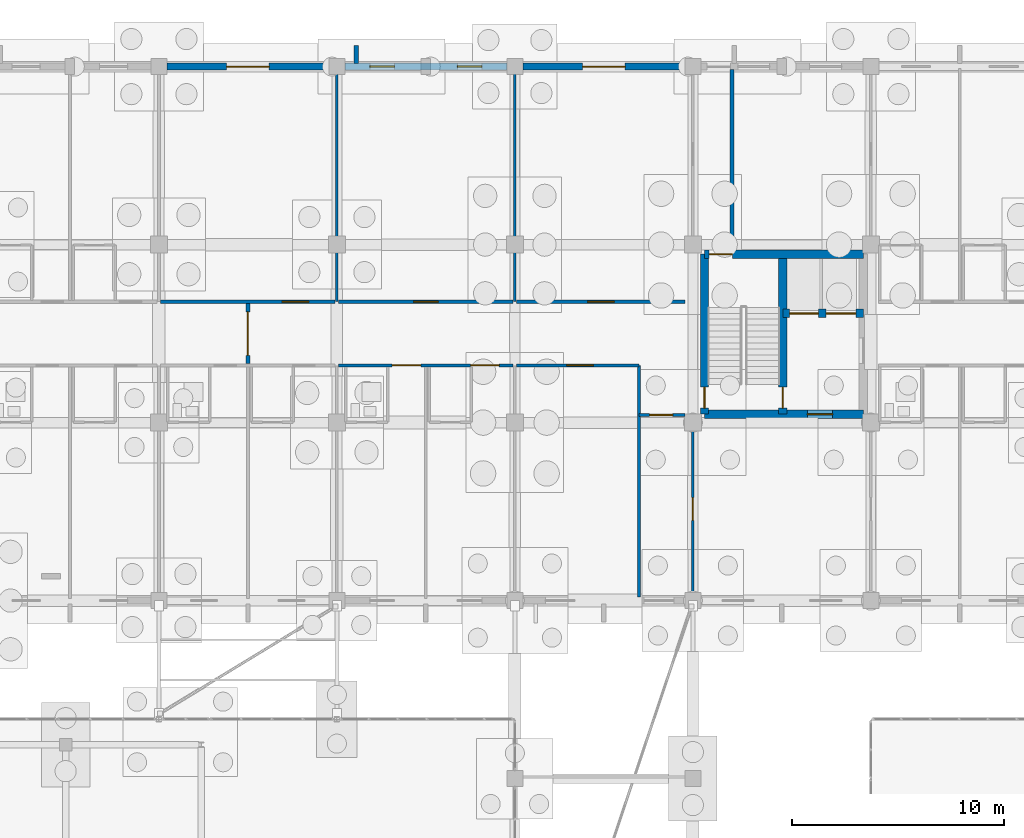
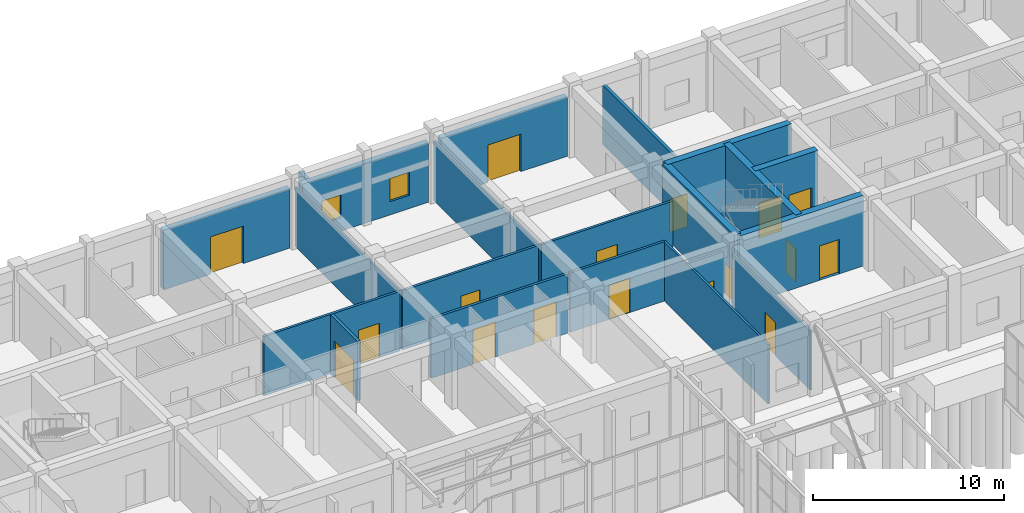
# One storey, part 166 of 192: 21 walls, 17 doors, 2 windows, 19 openings.
"""IFC4 building model written with IfcOpenShell, lengths in metres."""

from ifc_helpers import new_model, si_unit, direction, frame, frame_2d, origin, place, context, subcontext, project, spatial, rectangle, extrude, material, layer, layer_set, type_object, element, fill, save


model = new_model("IFC4")

# Units and contexts
model_context = context("Model", 3, precision=1e-05, world=origin(), true_north=direction((0.0, 1.0)))
body_context = subcontext(model_context, "Body", "Model", "MODEL_VIEW")
ifc_project = project(units=[si_unit("LENGTHUNIT", "METRE"), si_unit("AREAUNIT", "SQUARE_METRE"), si_unit("VOLUMEUNIT", "CUBIC_METRE"), si_unit("PLANEANGLEUNIT", "RADIAN"), si_unit("MASSUNIT", "GRAM", prefix="KILO")], contexts=[model_context])

# Site, building, storey
site_placement = place(None, origin())
site = spatial("IfcSite", under=ifc_project, at=site_placement, CompositionType="ELEMENT")
building_placement = place(site_placement, origin())
building = spatial("IfcBuilding", under=site, at=building_placement, Name="Trelvath General Hospital", CompositionType="ELEMENT")
storey_placement = place(building_placement, origin())
storey = spatial("IfcBuildingStorey", under=building, at=storey_placement, Name="L00", CompositionType="ELEMENT", Elevation=0.0)

# Wall
ifc_material_1 = material(Name="Precast concrete C40/50", Category="concrete")
ifc_layer_1 = layer(ifc_material_1, 0.199951171875)
ifc_layer_set_1 = layer_set([ifc_layer_1], Name="Precast concrete C40/50")
wall_type_1 = type_object("IfcWallType", Name="BriseSoleilRib 200", PredefinedType="ELEMENTEDWALL", material=ifc_layer_set_1)
wall_1_placement = place(storey_placement, frame((68.110595703125, 117.75, 0.0), z_axis=(0.0, 0.0, 1.0), x_axis=(0.0, 1.0, 0.0)))
element("IfcWall", 1, at=wall_1_placement, inside=storey, type_object=wall_type_1, Name="Precast Concrete Brise-Soleil Rib Fin L00-33", PredefinedType="ELEMENTEDWALL", context=body_context, shape_type="SweptSolid", body=[
    extrude(rectangle(XDim=0.85009765625, YDim=0.199951171875, at=frame_2d((0.425048828125, 0.0))), origin(), (0.0, 0.0, 1.0), 3.800048828125),
])

# Wall, opening, door
ifc_material_2 = material(Name="Gypsum acoustic steel-stud partition", Category="steel")
ifc_layer_2 = layer(ifc_material_2, 0.14990234375)
ifc_layer_set_2 = layer_set([ifc_layer_2], Name="Gypsum acoustic steel-stud partition")
wall_type_2 = type_object("IfcWallType", Name="ClinicalPartition 150", PredefinedType="PARTITIONING", material=ifc_layer_set_2)
wall_2_placement = place(storey_placement, frame((67.1201171875, 106.5, 0.0), z_axis=(0.0, 0.0, 1.0), x_axis=(-1.0, 0.0, 0.0)))
wall_2 = element("IfcWall", 2, at=wall_2_placement, inside=storey, type_object=wall_type_2, Name="Corridor Partition N L00-226", PredefinedType="PARTITIONING", context=body_context, shape_type="SweptSolid", body=[
    extrude(rectangle(XDim=8.240234375, YDim=0.14990234375, at=frame_2d((4.1201171875, 0.0))), origin(), (0.0, 0.0, 1.0), 3.800048828125),
])
opening_1_placement = place(wall_2_placement, frame((1.25, 0.0, 0.0)))
opening_1 = element("IfcOpeningElement", 3, at=opening_1_placement, cuts=wall_2, Name="Opening D-0-0392", PredefinedType="OPENING", context=body_context, shape_type="SweptSolid", body=[
    extrude(rectangle(XDim=1.25, YDim=2.199951171875, at=frame_2d((0.625, 1.10009765625))), frame((0.0, 0.0849609375, 0.0), z_axis=(0.0, -1.0, 0.0), x_axis=(1.0, 0.0, 0.0)), (0.0, 0.0, 1.0), 0.169921875),
])
ifc_material_3 = material(Name="Acoustic hospital timber leaf", Category="wood")
door_type_1 = type_object("IfcDoorType", Name="Door Treatment 1250x2200", OperationType="NOTDEFINED", PredefinedType="DOOR", material=ifc_material_3)
door_1_placement = place(opening_1_placement, origin())
door_1 = element("IfcDoor", 4, at=door_1_placement, inside=storey, type_object=door_type_1, Name="Clinical Room Door L00-392", OperationType="SINGLE_SWING_RIGHT", OverallHeight=2.199951171875, OverallWidth=1.25, PredefinedType="DOOR", context=body_context, shape_type="SweptSolid", body=[
    extrude(rectangle(XDim=1.25, YDim=2.199951171875, at=frame_2d((0.625, 1.10009765625))), frame((0.0, 0.02490234375, 0.0), z_axis=(0.0, -1.0, 0.0), x_axis=(1.0, 0.0, 0.0)), (0.0, 0.0, 1.0), 0.050048828125),
])
fill(opening_1, door_1)

# Wall, openings, doors
wall_3_placement = place(storey_placement, frame((67.280029296875, 103.5, 0.0), z_axis=(0.0, 0.0, 1.0), x_axis=(1.0, 0.0, 0.0)))
wall_3 = element("IfcWall", 5, at=wall_3_placement, inside=storey, type_object=wall_type_2, Name="Corridor Partition L00-230", PredefinedType="PARTITIONING", context=body_context, shape_type="SweptSolid", body=[
    extrude(rectangle(XDim=8.239990234375, YDim=0.14990234375, at=frame_2d((4.1201171875, 0.0))), origin(), (0.0, 0.0, 1.0), 3.800048828125),
])
opening_2_placement = place(wall_3_placement, frame((2.530029296875, 0.0, 0.0)))
opening_2 = element("IfcOpeningElement", 6, at=opening_2_placement, cuts=wall_3, Name="Opening D-0-0394", PredefinedType="OPENING", context=body_context, shape_type="SweptSolid", body=[
    extrude(rectangle(XDim=1.35009765625, YDim=2.25, at=frame_2d((0.675048828125, 1.125))), frame((0.0, 0.0849609375, 0.0), z_axis=(0.0, -1.0, 0.0), x_axis=(1.0, 0.0, 0.0)), (0.0, 0.0, 1.0), 0.169921875),
])
opening_3_placement = place(wall_3_placement, frame((6.22998046875, 0.0, 0.0)))
opening_3 = element("IfcOpeningElement", 7, at=opening_3_placement, cuts=wall_3, Name="Opening D-0-0395", PredefinedType="OPENING", context=body_context, shape_type="SweptSolid", body=[
    extrude(rectangle(XDim=1.35009765625, YDim=2.25, at=frame_2d((0.675048828125, 1.125))), frame((0.0, 0.0849609375, 0.0), z_axis=(0.0, -1.0, 0.0), x_axis=(1.0, 0.0, 0.0)), (0.0, 0.0, 1.0), 0.169921875),
])
ifc_material_4 = material(Name="Airtight isolation bed door")
door_type_2 = type_object("IfcDoorType", Name="Door PatientIso 1350x2250", OperationType="NOTDEFINED", PredefinedType="DOOR", material=ifc_material_4)
door_2_placement = place(opening_2_placement, origin())
door_2 = element("IfcDoor", 8, at=door_2_placement, inside=storey, type_object=door_type_2, Name="Patient Room Door L00-394", OperationType="SINGLE_SWING_LEFT", OverallHeight=2.25, OverallWidth=1.35009765625, PredefinedType="DOOR", context=body_context, shape_type="SweptSolid", body=[
    extrude(rectangle(XDim=1.35009765625, YDim=2.25, at=frame_2d((0.675048828125, 1.125))), frame((0.0, 0.02490234375, 0.0), z_axis=(0.0, -1.0, 0.0), x_axis=(1.0, 0.0, 0.0)), (0.0, 0.0, 1.0), 0.050048828125),
])
fill(opening_2, door_2)
door_3_placement = place(opening_3_placement, origin())
door_3 = element("IfcDoor", 9, at=door_3_placement, inside=storey, type_object=door_type_2, Name="Patient Room Door L00-395", OperationType="SINGLE_SWING_RIGHT", OverallHeight=2.25, OverallWidth=1.35009765625, PredefinedType="DOOR", context=body_context, shape_type="SweptSolid", body=[
    extrude(rectangle(XDim=1.35009765625, YDim=2.25, at=frame_2d((0.675048828125, 1.125))), frame((0.0, 0.02490234375, 0.0), z_axis=(0.0, -1.0, 0.0), x_axis=(1.0, 0.0, 0.0)), (0.0, 0.0, 1.0), 0.050048828125),
])
fill(opening_3, door_3)

# Wall, opening, door
wall_4_placement = place(storey_placement, frame((75.52001953125, 106.5, 0.0), z_axis=(0.0, 0.0, 1.0), x_axis=(-1.0, 0.0, 0.0)))
wall_4 = element("IfcWall", 10, at=wall_4_placement, inside=storey, type_object=wall_type_2, Name="Corridor Partition N L00-238", PredefinedType="PARTITIONING", context=body_context, shape_type="SweptSolid", body=[
    extrude(rectangle(XDim=8.239990234375, YDim=0.14990234375, at=frame_2d((4.1201171875, 0.0))), origin(), (0.0, 0.0, 1.0), 3.800048828125),
])
opening_4_placement = place(wall_4_placement, frame((3.544921875, 0.0, 0.0)))
opening_4 = element("IfcOpeningElement", 11, at=opening_4_placement, cuts=wall_4, Name="Opening D-0-0398", PredefinedType="OPENING", context=body_context, shape_type="SweptSolid", body=[
    extrude(rectangle(XDim=1.14990234375, YDim=2.199951171875, at=frame_2d((0.574951171875, 1.10009765625))), frame((0.0, 0.0849609375, 0.0), z_axis=(0.0, -1.0, 0.0), x_axis=(1.0, 0.0, 0.0)), (0.0, 0.0, 1.0), 0.169921875),
])
ifc_material_5 = material(Name="Phenolic cleanroom door")
door_type_3 = type_object("IfcDoorType", Name="Door Pharmacy 1150x2200", OperationType="NOTDEFINED", PredefinedType="DOOR", material=ifc_material_5)
door_4_placement = place(opening_4_placement, origin())
door_4 = element("IfcDoor", 12, at=door_4_placement, inside=storey, type_object=door_type_3, Name="Clinical Room Door L00-398", OperationType="SINGLE_SWING_LEFT", OverallHeight=2.199951171875, OverallWidth=1.14990234375, PredefinedType="DOOR", context=body_context, shape_type="SweptSolid", body=[
    extrude(rectangle(XDim=1.14990234375, YDim=2.199951171875, at=frame_2d((0.574951171875, 1.10009765625))), frame((0.0, 0.02490234375, 0.0), z_axis=(0.0, -1.0, 0.0), x_axis=(1.0, 0.0, 0.0)), (0.0, 0.0, 1.0), 0.050048828125),
])
fill(opening_4, door_4)

wall_5_placement = place(storey_placement, frame((75.679931640625, 103.5, 0.0), z_axis=(0.0, 0.0, 1.0), x_axis=(1.0, 0.0, 0.0)))
wall_5 = element("IfcWall", 13, at=wall_5_placement, inside=storey, type_object=wall_type_2, Name="Nurse Station Partition L00-241", PredefinedType="PARTITIONING", context=body_context, shape_type="SweptSolid", body=[
    extrude(rectangle(XDim=5.780029296875, YDim=0.14990234375, at=frame_2d((2.89013671875, 0.0))), origin(), (0.0, 0.0, 1.0), 3.800048828125),
])
opening_5_placement = place(wall_5_placement, frame((2.3798828125, 0.0, 0.0)))
opening_5 = element("IfcOpeningElement", 14, at=opening_5_placement, cuts=wall_5, Name="Opening D-0-0399", PredefinedType="OPENING", context=body_context, shape_type="SweptSolid", body=[
    extrude(rectangle(XDim=1.25, YDim=2.199951171875, at=frame_2d((0.625, 1.10009765625))), frame((0.0, 0.0849609375, 0.0), z_axis=(0.0, -1.0, 0.0), x_axis=(1.0, 0.0, 0.0)), (0.0, 0.0, 1.0), 0.169921875),
])
door_5_placement = place(opening_5_placement, origin())
door_5 = element("IfcDoor", 15, at=door_5_placement, inside=storey, type_object=door_type_1, Name="Nurse Station Door L00-399", OperationType="SINGLE_SWING_RIGHT", OverallHeight=2.199951171875, OverallWidth=1.25, PredefinedType="DOOR", context=body_context, shape_type="SweptSolid", body=[
    extrude(rectangle(XDim=1.25, YDim=2.199951171875, at=frame_2d((0.625, 1.10009765625))), frame((0.0, 0.02490234375, 0.0), z_axis=(0.0, -1.0, 0.0), x_axis=(1.0, 0.0, 0.0)), (0.0, 0.0, 1.0), 0.050048828125),
])
fill(opening_5, door_5)

wall_6_placement = place(storey_placement, frame((81.4599609375, 101.159912109375, 0.0), z_axis=(0.0, 0.0, 1.0), x_axis=(1.0, 0.0, 0.0)))
wall_6 = element("IfcWall", 16, at=wall_6_placement, inside=storey, type_object=wall_type_2, Name="Clean Utility Partition L00-243", PredefinedType="PARTITIONING", context=body_context, shape_type="SweptSolid", body=[
    extrude(rectangle(XDim=2.179931640625, YDim=0.14990234375, at=frame_2d((1.08984375, 0.0))), origin(), (0.0, 0.0, 1.0), 3.800048828125),
])
opening_6_placement = place(wall_6_placement, frame((0.5, 0.0, 0.0)))
opening_6 = element("IfcOpeningElement", 17, at=opening_6_placement, cuts=wall_6, Name="Opening D-0-0400", PredefinedType="OPENING", context=body_context, shape_type="SweptSolid", body=[
    extrude(rectangle(XDim=1.080078125, YDim=2.14990234375, at=frame_2d((0.5400390625, 1.074951171875))), frame((0.0, 0.0849609375, 0.0), z_axis=(0.0, -1.0, 0.0), x_axis=(1.0, 0.0, 0.0)), (0.0, 0.0, 1.0), 0.169921875),
])
ifc_material_6 = material(Name="Acoustic hospital timber leaf", Category="wood")
door_type_4 = type_object("IfcDoorType", Name="Door CleanSupply 1080x2150", OperationType="NOTDEFINED", PredefinedType="DOOR", material=ifc_material_6)
door_6_placement = place(opening_6_placement, origin())
door_6 = element("IfcDoor", 18, at=door_6_placement, inside=storey, type_object=door_type_4, Name="Clean Utility Door L00-400", OperationType="SINGLE_SWING_LEFT", OverallHeight=2.14990234375, OverallWidth=1.080078125, PredefinedType="DOOR", context=body_context, shape_type="SweptSolid", body=[
    extrude(rectangle(XDim=1.080078125, YDim=2.14990234375, at=frame_2d((0.5400390625, 1.074951171875))), frame((0.0, 0.02490234375, 0.0), z_axis=(0.0, -1.0, 0.0), x_axis=(1.0, 0.0, 0.0)), (0.0, 0.0, 1.0), 0.050048828125),
])
fill(opening_6, door_6)

wall_7_placement = place(storey_placement, frame((83.639892578125, 106.5, 0.0), z_axis=(0.0, 0.0, 1.0), x_axis=(-1.0, 0.0, 0.0)))
wall_7 = element("IfcWall", 19, at=wall_7_placement, inside=storey, type_object=wall_type_2, Name="Corridor Partition N L00-244", PredefinedType="PARTITIONING", context=body_context, shape_type="SweptSolid", body=[
    extrude(rectangle(XDim=7.9599609375, YDim=0.14990234375, at=frame_2d((3.97998046875, 0.0))), origin(), (0.0, 0.0, 1.0), 3.800048828125),
])
opening_7_placement = place(wall_7_placement, frame((3.35498046875, 0.0, 0.0)))
opening_7 = element("IfcOpeningElement", 20, at=opening_7_placement, cuts=wall_7, Name="Opening D-0-0401", PredefinedType="OPENING", context=body_context, shape_type="SweptSolid", body=[
    extrude(rectangle(XDim=1.25, YDim=2.199951171875, at=frame_2d((0.625, 1.10009765625))), frame((0.0, 0.0849609375, 0.0), z_axis=(0.0, -1.0, 0.0), x_axis=(1.0, 0.0, 0.0)), (0.0, 0.0, 1.0), 0.169921875),
])
door_7_placement = place(opening_7_placement, origin())
door_7 = element("IfcDoor", 21, at=door_7_placement, inside=storey, type_object=door_type_1, Name="Clinical Room Door L00-401", OperationType="SINGLE_SWING_RIGHT", OverallHeight=2.199951171875, OverallWidth=1.25, PredefinedType="DOOR", context=body_context, shape_type="SweptSolid", body=[
    extrude(rectangle(XDim=1.25, YDim=2.199951171875, at=frame_2d((0.625, 1.10009765625))), frame((0.0, 0.02490234375, 0.0), z_axis=(0.0, -1.0, 0.0), x_axis=(1.0, 0.0, 0.0)), (0.0, 0.0, 1.0), 0.050048828125),
])
fill(opening_7, door_7)

ifc_material_7 = material(Name="Concrete C40/50", Category="concrete")
ifc_layer_3 = layer(ifc_material_7, 0.39990234375)
ifc_layer_set_3 = layer_set([ifc_layer_3], Name="Concrete C40/50")
wall_type_3 = type_object("IfcWallType", Name="CoreShearWall 400", PredefinedType="SHEAR", material=ifc_layer_set_3)
wall_8_placement = place(storey_placement, frame((84.550048828125, 101.199951171875, 0.0), z_axis=(0.0, 0.0, 1.0), x_axis=(1.0, 0.0, 0.0)))
wall_8 = element("IfcWall", 22, at=wall_8_placement, inside=storey, type_object=wall_type_3, Name="Core Shear Wall C2 S L00", PredefinedType="SHEAR", context=body_context, shape_type="SweptSolid", body=[
    extrude(rectangle(XDim=7.5, YDim=0.39990234375, at=frame_2d((3.75, 0.0))), origin(), (0.0, 0.0, 1.0), 4.52001953125),
])
opening_8_placement = place(wall_8_placement, frame((4.85009765625, 0.0, 0.0)))
opening_8 = element("IfcOpeningElement", 23, at=opening_8_placement, cuts=wall_8, Name="Opening FD-LS20", PredefinedType="OPENING", context=body_context, shape_type="SweptSolid", body=[
    extrude(rectangle(XDim=1.199951171875, YDim=2.199951171875, at=frame_2d((0.60009765625, 1.10009765625))), frame((0.0, 0.2099609375, 0.0), z_axis=(0.0, -1.0, 0.0), x_axis=(1.0, 0.0, 0.0)), (0.0, 0.0, 1.0), 0.419921875),
])
ifc_material_8 = material(Name="Fire-rated steel door", Category="steel")
door_type_5 = type_object("IfcDoorType", Name="Door FireLobby 1200x2200", OperationType="NOTDEFINED", PredefinedType="DOOR", material=ifc_material_8)
door_8_placement = place(opening_8_placement, origin())
door_8 = element("IfcDoor", 24, at=door_8_placement, inside=storey, type_object=door_type_5, Name="Fire Lobby South Door C2 L00", OperationType="SINGLE_SWING_RIGHT", OverallHeight=2.199951171875, OverallWidth=1.199951171875, PredefinedType="DOOR", context=body_context, shape_type="SweptSolid", body=[
    extrude(rectangle(XDim=1.199951171875, YDim=2.199951171875, at=frame_2d((0.60009765625, 1.10009765625))), frame((0.0, 0.02490234375, 0.0), z_axis=(0.0, -1.0, 0.0), x_axis=(1.0, 0.0, 0.0)), (0.0, 0.0, 1.0), 0.050048828125),
])
fill(opening_8, door_8)

wall_9_placement = place(storey_placement, frame((84.550048828125, 108.75, 0.0), z_axis=(0.0, 0.0, 1.0), x_axis=(1.0, 0.0, 0.0)))
wall_9 = element("IfcWall", 25, at=wall_9_placement, inside=storey, type_object=wall_type_3, Name="Core Shear Wall C2 N L00", PredefinedType="SHEAR", context=body_context, shape_type="SweptSolid", body=[
    extrude(rectangle(XDim=7.5, YDim=0.39990234375, at=frame_2d((3.75, 0.0))), origin(), (0.0, 0.0, 1.0), 4.52001953125),
])
opening_9_placement = place(wall_9_placement, frame((0.219970703125, 0.0, 0.0)))
opening_9 = element("IfcOpeningElement", 26, at=opening_9_placement, cuts=wall_9, Name="Opening FD-EX2", PredefinedType="OPENING", context=body_context, shape_type="SweptSolid", body=[
    extrude(rectangle(XDim=1.10009765625, YDim=2.10009765625, at=frame_2d((0.550048828125, 1.050048828125))), frame((0.0, 0.2099609375, 0.0), z_axis=(0.0, -1.0, 0.0), x_axis=(1.0, 0.0, 0.0)), (0.0, 0.0, 1.0), 0.419921875),
])
ifc_material_9 = material(Name="Fire-rated steel door", Category="steel")
door_type_6 = type_object("IfcDoorType", Name="Door FireStair 1100x2150", OperationType="NOTDEFINED", PredefinedType="DOOR", material=ifc_material_9)
door_9_placement = place(opening_9_placement, origin())
door_9 = element("IfcDoor", 27, at=door_9_placement, inside=storey, type_object=door_type_6, Name="Exit Stair Discharge Door ST2 L00", OperationType="SINGLE_SWING_LEFT", OverallHeight=2.10009765625, OverallWidth=1.10009765625, PredefinedType="DOOR", context=body_context, shape_type="SweptSolid", body=[
    extrude(rectangle(XDim=1.10009765625, YDim=2.10009765625, at=frame_2d((0.550048828125, 1.050048828125))), frame((0.0, 0.02490234375, 0.0), z_axis=(0.0, -1.0, 0.0), x_axis=(1.0, 0.0, 0.0)), (0.0, 0.0, 1.0), 0.050048828125),
])
fill(opening_9, door_9)

wall_10_placement = place(storey_placement, frame((84.550048828125, 101.199951171875, 0.0), z_axis=(0.0, 0.0, 1.0), x_axis=(0.0, 1.0, 0.0)))
wall_10 = element("IfcWall", 28, at=wall_10_placement, inside=storey, type_object=wall_type_3, Name="Core Shear Wall C2 W L00", PredefinedType="SHEAR", context=body_context, shape_type="SweptSolid", body=[
    extrude(rectangle(XDim=7.550048828125, YDim=0.39990234375, at=frame_2d((3.77490234375, 0.0))), origin(), (0.0, 0.0, 1.0), 4.52001953125),
])
opening_10_placement = place(wall_10_placement, frame((0.280029296875, 0.0, 0.0)))
opening_10 = element("IfcOpeningElement", 29, at=opening_10_placement, cuts=wall_10, Name="Opening FD-SW20", PredefinedType="OPENING", context=body_context, shape_type="SweptSolid", body=[
    extrude(rectangle(XDim=1.0, YDim=2.14990234375, at=frame_2d((0.5, 1.074951171875))), frame((0.0, 0.2099609375, 0.0), z_axis=(0.0, -1.0, 0.0), x_axis=(1.0, 0.0, 0.0)), (0.0, 0.0, 1.0), 0.419921875),
])
door_10_placement = place(opening_10_placement, origin())
door_10 = element("IfcDoor", 30, at=door_10_placement, inside=storey, type_object=door_type_6, Name="West Corridor Stair Door ST2 L00", OperationType="SINGLE_SWING_LEFT", OverallHeight=2.14990234375, OverallWidth=1.0, PredefinedType="DOOR", context=body_context, shape_type="SweptSolid", body=[
    extrude(rectangle(XDim=1.0, YDim=2.14990234375, at=frame_2d((0.5, 1.074951171875))), frame((0.0, 0.02490234375, 0.0), z_axis=(0.0, -1.0, 0.0), x_axis=(1.0, 0.0, 0.0)), (0.0, 0.0, 1.0), 0.050048828125),
])
fill(opening_10, door_10)

wall_11_placement = place(storey_placement, frame((88.25, 101.199951171875, 0.0), z_axis=(0.0, 0.0, 1.0), x_axis=(0.0, 1.0, 0.0)))
wall_11 = element("IfcWall", 31, at=wall_11_placement, inside=storey, type_object=wall_type_3, Name="Core Shear Wall C2 SPINE L00", PredefinedType="SHEAR", context=body_context, shape_type="SweptSolid", body=[
    extrude(rectangle(XDim=7.550048828125, YDim=0.39990234375, at=frame_2d((3.77490234375, 0.0))), origin(), (0.0, 0.0, 1.0), 4.52001953125),
])
opening_11_placement = place(wall_11_placement, frame((0.280029296875, 0.0, 0.0)))
opening_11 = element("IfcOpeningElement", 32, at=opening_11_placement, cuts=wall_11, Name="Opening FD-S20", PredefinedType="OPENING", context=body_context, shape_type="SweptSolid", body=[
    extrude(rectangle(XDim=1.0, YDim=2.14990234375, at=frame_2d((0.5, 1.074951171875))), frame((0.0, 0.2099609375, 0.0), z_axis=(0.0, -1.0, 0.0), x_axis=(1.0, 0.0, 0.0)), (0.0, 0.0, 1.0), 0.419921875),
])
door_11_placement = place(opening_11_placement, origin())
door_11 = element("IfcDoor", 33, at=door_11_placement, inside=storey, type_object=door_type_6, Name="Exit Stair Door ST2 L00", OperationType="SINGLE_SWING_RIGHT", OverallHeight=2.14990234375, OverallWidth=1.0, PredefinedType="DOOR", context=body_context, shape_type="SweptSolid", body=[
    extrude(rectangle(XDim=1.0, YDim=2.14990234375, at=frame_2d((0.5, 1.074951171875))), frame((0.0, 0.02490234375, 0.0), z_axis=(0.0, -1.0, 0.0), x_axis=(1.0, 0.0, 0.0)), (0.0, 0.0, 1.0), 0.050048828125),
])
fill(opening_11, door_11)

# Wall, openings, doors
wall_12_placement = place(storey_placement, frame((88.25, 105.949951171875, 0.0), z_axis=(0.0, 0.0, 1.0), x_axis=(1.0, 0.0, 0.0)))
wall_12 = element("IfcWall", 34, at=wall_12_placement, inside=storey, type_object=wall_type_3, Name="Core Shear Wall C2 SHAFT L00", PredefinedType="SHEAR", context=body_context, shape_type="SweptSolid", body=[
    extrude(rectangle(XDim=3.800048828125, YDim=0.39990234375, at=frame_2d((1.89990234375, 0.0))), origin(), (0.0, 0.0, 1.0), 4.52001953125),
])
opening_12_placement = place(wall_12_placement, frame((0.320068359375, 0.0, 0.0)))
opening_12 = element("IfcOpeningElement", 35, at=opening_12_placement, cuts=wall_12, Name="Opening LD-FF2-0", PredefinedType="OPENING", context=body_context, shape_type="SweptSolid", body=[
    extrude(rectangle(XDim=1.35009765625, YDim=2.25, at=frame_2d((0.675048828125, 1.125))), frame((0.0, 0.2099609375, 0.0), z_axis=(0.0, -1.0, 0.0), x_axis=(1.0, 0.0, 0.0)), (0.0, 0.0, 1.0), 0.419921875),
])
opening_13_placement = place(wall_12_placement, frame((2.0400390625, 0.0, 0.0)))
opening_13 = element("IfcOpeningElement", 36, at=opening_13_placement, cuts=wall_12, Name="Opening LD-BD2-0", PredefinedType="OPENING", context=body_context, shape_type="SweptSolid", body=[
    extrude(rectangle(XDim=1.39990234375, YDim=2.25, at=frame_2d((0.699951171875, 1.125))), frame((0.0, 0.2099609375, 0.0), z_axis=(0.0, -1.0, 0.0), x_axis=(1.0, 0.0, 0.0)), (0.0, 0.0, 1.0), 0.419921875),
])
ifc_material_10 = material(Name="Stainless steel stretcher lift landing door", Category="steel")
door_type_7 = type_object("IfcDoorType", Name="Door LiftBed 1400x2250", OperationType="SLIDING_TO_LEFT", PredefinedType="DOOR", material=ifc_material_10)
door_12_placement = place(opening_13_placement, origin())
door_12 = element("IfcDoor", 37, at=door_12_placement, inside=storey, type_object=door_type_7, Name="Lift Landing Sliding Door LF-BD2 L00", OperationType="SLIDING_TO_LEFT", OverallHeight=2.25, OverallWidth=1.39990234375, PredefinedType="DOOR", context=body_context, shape_type="SweptSolid", body=[
    extrude(rectangle(XDim=1.39990234375, YDim=2.25, at=frame_2d((0.699951171875, 1.125))), frame((0.0, 0.02490234375, 0.0), z_axis=(0.0, -1.0, 0.0), x_axis=(1.0, 0.0, 0.0)), (0.0, 0.0, 1.0), 0.050048828125),
])
fill(opening_13, door_12)
ifc_material_11 = material(Name="Fire-rated stainless lift landing door")
door_type_8 = type_object("IfcDoorType", Name="Door LiftFire 1350x2250", OperationType="SLIDING_TO_LEFT", PredefinedType="DOOR", material=ifc_material_11)
door_13_placement = place(opening_12_placement, origin())
door_13 = element("IfcDoor", 38, at=door_13_placement, inside=storey, type_object=door_type_8, Name="Lift Landing Sliding Door LF-FF2 L00", OperationType="SLIDING_TO_LEFT", OverallHeight=2.25, OverallWidth=1.35009765625, PredefinedType="DOOR", context=body_context, shape_type="SweptSolid", body=[
    extrude(rectangle(XDim=1.35009765625, YDim=2.25, at=frame_2d((0.675048828125, 1.125))), frame((0.0, 0.02490234375, 0.0), z_axis=(0.0, -1.0, 0.0), x_axis=(1.0, 0.0, 0.0)), (0.0, 0.0, 1.0), 0.050048828125),
])
fill(opening_12, door_13)

# Wall, opening, door
ifc_material_12 = material(Name="Concrete C35/45", Category="concrete")
ifc_layer_4 = layer(ifc_material_12, 0.320068359375)
ifc_layer_set_4 = layer_set([ifc_layer_4], Name="Concrete C35/45")
wall_type_4 = type_object("IfcWallType", Name="ExtThermalWall 320", PredefinedType="SOLIDWALL", material=ifc_layer_set_4)
wall_13_placement = place(storey_placement, frame((59.175048828125, 117.60009765625, 0.0), z_axis=(0.0, 0.0, 1.0), x_axis=(1.0, 0.0, 0.0)))
wall_13 = element("IfcWall", 39, at=wall_13_placement, inside=storey, type_object=wall_type_4, Name="Exterior Concrete Wall L00-44", PredefinedType="SOLIDWALL", context=body_context, shape_type="SweptSolid", body=[
    extrude(rectangle(XDim=7.64990234375, YDim=0.320068359375, at=frame_2d((3.824951171875, 0.0))), origin(), (0.0, 0.0, 1.0), 3.820068359375),
])
opening_14_placement = place(wall_13_placement, frame((2.824951171875, 0.0, 0.0)))
opening_14 = element("IfcOpeningElement", 40, at=opening_14_placement, cuts=wall_13, Name="Opening E04", PredefinedType="OPENING", context=body_context, shape_type="SweptSolid", body=[
    extrude(rectangle(XDim=2.0, YDim=2.39990234375, at=frame_2d((1.0, 1.199951171875))), frame((0.0, 0.169921875, 0.0), z_axis=(0.0, -1.0, 0.0), x_axis=(1.0, 0.0, 0.0)), (0.0, 0.0, 1.0), 0.340087890625),
])
ifc_material_13 = material(Name="Thermally broken glazed exit pair")
door_type_9 = type_object("IfcDoorType", Name="Door GradeExit 2000x2400", OperationType="DOUBLE_SWING_LEFT", PredefinedType="DOOR", material=ifc_material_13)
door_14_placement = place(opening_14_placement, origin())
door_14 = element("IfcDoor", 41, at=door_14_placement, inside=storey, type_object=door_type_9, Name="Pedestrian Final Exit Door E04", OperationType="DOUBLE_SWING_LEFT", OverallHeight=2.39990234375, OverallWidth=2.0, PredefinedType="DOOR", context=body_context, shape_type="SweptSolid", body=[
    extrude(rectangle(XDim=2.0, YDim=2.39990234375, at=frame_2d((1.0, 1.199951171875))), frame((0.0, 0.02490234375, 0.0), z_axis=(0.0, -1.0, 0.0), x_axis=(1.0, 0.0, 0.0)), (0.0, 0.0, 1.0), 0.050048828125),
])
fill(opening_14, door_14)

# Wall, openings, windows
wall_14_placement = place(storey_placement, frame((67.574951171875, 117.60009765625, 0.0), z_axis=(0.0, 0.0, 1.0), x_axis=(1.0, 0.0, 0.0)))
wall_14 = element("IfcWall", 42, at=wall_14_placement, inside=storey, type_object=wall_type_4, Name="Exterior Concrete Wall L00-48", PredefinedType="SOLIDWALL", context=body_context, shape_type="SweptSolid", body=[
    extrude(rectangle(XDim=7.650146484375, YDim=0.320068359375, at=frame_2d((3.8251953125, 0.0))), origin(), (0.0, 0.0, 1.0), 3.820068359375),
])
opening_15_placement = place(wall_14_placement, frame((1.179443359375, 0.0, 0.85009765625)))
opening_15 = element("IfcOpeningElement", 43, at=opening_15_placement, cuts=wall_14, Name="Opening WN-0-073", PredefinedType="OPENING", context=body_context, shape_type="SweptSolid", body=[
    extrude(rectangle(XDim=1.159912109375, YDim=1.47998046875, at=frame_2d((0.580078125, 0.739990234375))), frame((0.0, 0.169921875, 0.0), z_axis=(0.0, -1.0, 0.0), x_axis=(1.0, 0.0, 0.0)), (0.0, 0.0, 1.0), 0.340087890625),
])
opening_16_placement = place(wall_14_placement, frame((5.310546875, 0.0, 0.85009765625)))
opening_16 = element("IfcOpeningElement", 44, at=opening_16_placement, cuts=wall_14, Name="Opening WN-0-074", PredefinedType="OPENING", context=body_context, shape_type="SweptSolid", body=[
    extrude(rectangle(XDim=1.159912109375, YDim=1.47998046875, at=frame_2d((0.580078125, 0.739990234375))), frame((0.0, 0.169921875, 0.0), z_axis=(0.0, -1.0, 0.0), x_axis=(1.0, 0.0, 0.0)), (0.0, 0.0, 1.0), 0.340087890625),
])
ifc_material_14 = material(Name="Low-E laminated glass", Category="glass")
window_type = type_object("IfcWindowType", Name="Window Cardiology 1160x1480", PartitioningType="SINGLE_PANEL", PredefinedType="WINDOW", material=ifc_material_14)
window_1_placement = place(opening_15_placement, origin())
window_1 = element("IfcWindow", 45, at=window_1_placement, inside=storey, type_object=window_type, Name="Solar Reveal Window L00-73", OverallHeight=1.47998046875, OverallWidth=1.159912109375, PartitioningType="SINGLE_PANEL", PredefinedType="WINDOW", context=body_context, shape_type="SweptSolid", body=[
    extrude(rectangle(XDim=1.159912109375, YDim=1.47998046875, at=frame_2d((0.580078125, 0.739990234375))), frame((0.0, 0.030029296875, 0.0), z_axis=(0.0, -1.0, 0.0), x_axis=(1.0, 0.0, 0.0)), (0.0, 0.0, 1.0), 0.06005859375),
])
fill(opening_15, window_1)
window_2_placement = place(opening_16_placement, origin())
window_2 = element("IfcWindow", 46, at=window_2_placement, inside=storey, type_object=window_type, Name="Solar Reveal Window L00-74", OverallHeight=1.47998046875, OverallWidth=1.159912109375, PartitioningType="SINGLE_PANEL", PredefinedType="WINDOW", context=body_context, shape_type="SweptSolid", body=[
    extrude(rectangle(XDim=1.159912109375, YDim=1.47998046875, at=frame_2d((0.580078125, 0.739990234375))), frame((0.0, 0.030029296875, 0.0), z_axis=(0.0, -1.0, 0.0), x_axis=(1.0, 0.0, 0.0)), (0.0, 0.0, 1.0), 0.06005859375),
])
fill(opening_16, window_2)

# Wall, opening, door
wall_15_placement = place(storey_placement, frame((75.97509765625, 117.60009765625, 0.0), z_axis=(0.0, 0.0, 1.0), x_axis=(1.0, 0.0, 0.0)))
wall_15 = element("IfcWall", 47, at=wall_15_placement, inside=storey, type_object=wall_type_4, Name="Exterior Concrete Wall L00-55", PredefinedType="SOLIDWALL", context=body_context, shape_type="SweptSolid", body=[
    extrude(rectangle(XDim=7.64990234375, YDim=0.320068359375, at=frame_2d((3.824951171875, 0.0))), origin(), (0.0, 0.0, 1.0), 3.820068359375),
])
opening_17_placement = place(wall_15_placement, frame((2.824951171875, 0.0, 0.0)))
opening_17 = element("IfcOpeningElement", 48, at=opening_17_placement, cuts=wall_15, Name="Opening E06", PredefinedType="OPENING", context=body_context, shape_type="SweptSolid", body=[
    extrude(rectangle(XDim=2.0, YDim=2.39990234375, at=frame_2d((1.0, 1.199951171875))), frame((0.0, 0.169921875, 0.0), z_axis=(0.0, -1.0, 0.0), x_axis=(1.0, 0.0, 0.0)), (0.0, 0.0, 1.0), 0.340087890625),
])
door_15_placement = place(opening_17_placement, origin())
door_15 = element("IfcDoor", 49, at=door_15_placement, inside=storey, type_object=door_type_9, Name="Pedestrian Final Exit Door E06", OperationType="DOUBLE_SWING_LEFT", OverallHeight=2.39990234375, OverallWidth=2.0, PredefinedType="DOOR", context=body_context, shape_type="SweptSolid", body=[
    extrude(rectangle(XDim=2.0, YDim=2.39990234375, at=frame_2d((1.0, 1.199951171875))), frame((0.0, 0.02490234375, 0.0), z_axis=(0.0, -1.0, 0.0), x_axis=(1.0, 0.0, 0.0)), (0.0, 0.0, 1.0), 0.050048828125),
])
fill(opening_17, door_15)

ifc_material_15 = material(Name="Masonry fire blockwork", Category="masonry")
ifc_layer_5 = layer(ifc_material_15, 0.179931640625)
ifc_layer_set_5 = layer_set([ifc_layer_5], Name="Masonry fire blockwork")
wall_type_5 = type_object("IfcWallType", Name="SmokeBarrierWall 180", PredefinedType="PARTITIONING", material=ifc_layer_set_5)
wall_16_placement = place(storey_placement, frame((63.0, 103.580078125, 0.0), z_axis=(0.0, 0.0, 1.0), x_axis=(0.0, 1.0, 0.0)))
wall_16 = element("IfcWall", 50, at=wall_16_placement, inside=storey, type_object=wall_type_5, Name="Smoke Compartment Barrier L00-227", PredefinedType="PARTITIONING", context=body_context, shape_type="SweptSolid", body=[
    extrude(rectangle(XDim=2.83984375, YDim=0.179931640625, at=frame_2d((1.419921875, 0.0))), origin(), (0.0, 0.0, 1.0), 3.800048828125),
])
opening_18_placement = place(wall_16_placement, frame((0.39501953125, 0.0, 0.0)))
opening_18 = element("IfcOpeningElement", 51, at=opening_18_placement, cuts=wall_16, Name="Opening SD-0-0393", PredefinedType="OPENING", context=body_context, shape_type="SweptSolid", body=[
    extrude(rectangle(XDim=2.050048828125, YDim=2.35009765625, at=frame_2d((1.02490234375, 1.175048828125))), frame((0.0, 0.099853515625, 0.0), z_axis=(0.0, -1.0, 0.0), x_axis=(1.0, 0.0, 0.0)), (0.0, 0.0, 1.0), 0.199951171875),
])
ifc_material_16 = material(Name="Fire-rated steel cross-corridor pair", Category="steel")
door_type_10 = type_object("IfcDoorType", Name="Door SmokeCross 2050x2350", OperationType="DOUBLE_SWING_LEFT", PredefinedType="DOOR", material=ifc_material_16)
door_16_placement = place(opening_18_placement, origin())
door_16 = element("IfcDoor", 52, at=door_16_placement, inside=storey, type_object=door_type_10, Name="Cross-Corridor Smoke Door L00-393", OperationType="SLIDING_TO_LEFT", OverallHeight=2.35009765625, OverallWidth=2.050048828125, PredefinedType="DOOR", context=body_context, shape_type="SweptSolid", body=[
    extrude(rectangle(XDim=2.050048828125, YDim=2.35009765625, at=frame_2d((1.02490234375, 1.175048828125))), frame((0.0, 0.02490234375, 0.0), z_axis=(0.0, -1.0, 0.0), x_axis=(1.0, 0.0, 0.0)), (0.0, 0.0, 1.0), 0.050048828125),
])
fill(opening_18, door_16)

# Walls
wall_17_placement = place(storey_placement, frame((85.85009765625, 108.9599609375, 0.0), z_axis=(0.0, 0.0, 1.0), x_axis=(0.0, 1.0, 0.0)))
element("IfcWall", 53, at=wall_17_placement, inside=storey, type_object=wall_type_5, Name="Exit Passage Fire Wall ST2 L00", PredefinedType="PARTITIONING", context=body_context, shape_type="SweptSolid", body=[
    extrude(rectangle(XDim=8.5, YDim=0.179931640625, at=frame_2d((4.25, 0.0))), origin(), (0.0, 0.0, 1.0), 3.800048828125),
])
ifc_material_17 = material(Name="Gypsum acoustic steel-stud partition", Category="steel")
ifc_layer_6 = layer(ifc_material_17, 0.1298828125)
ifc_layer_set_6 = layer_set([ifc_layer_6], Name="Gypsum acoustic steel-stud partition")
wall_type_6 = type_object("IfcWallType", Name="WardPartition 130", PredefinedType="PARTITIONING", material=ifc_layer_set_6)
for number, where, z_axis, x_axis, name in (
    (54, (67.199951171875, 106.52001953125, 0.0), (0.0, 0.0, 1.0), (0.0, 1.0, 0.0), "Inter-Bay Ward Partition N L00-229"),
    (55, (75.60009765625, 106.52001953125, 0.0), (0.0, 0.0, 1.0), (0.0, 1.0, 0.0), "Inter-Bay Ward Partition N L00-240"),
    (56, (81.4599609375, 92.56005859375, 0.0), (0.0, 0.0, 1.0), (0.0, 1.0, 0.0), "Nurse Alcove Partition L00-242"),
):
    element("IfcWall", number, at=place(storey_placement, frame(where, z_axis=z_axis, x_axis=x_axis)), inside=storey, type_object=wall_type_6, Name=name, PredefinedType="PARTITIONING", context=body_context, shape_type="SweptSolid", body=[
        extrude(rectangle(XDim=10.93994140625, YDim=0.1298828125, at=frame_2d((5.469970703125, 0.0))), origin(), (0.0, 0.0, 1.0), 3.800048828125),
    ])

# Wall, opening, door
wall_18_placement = place(storey_placement, frame((84.0, 92.5400390625, 0.0), z_axis=(0.0, 0.0, 1.0), x_axis=(0.0, 1.0, 0.0)))
wall_18 = element("IfcWall", 57, at=wall_18_placement, inside=storey, type_object=wall_type_6, Name="Inter-Bay Ward Partition S L00-245", PredefinedType="PARTITIONING", context=body_context, shape_type="SweptSolid", body=[
    extrude(rectangle(XDim=8.2099609375, YDim=0.1298828125, at=frame_2d((4.10498046875, 0.0))), origin(), (0.0, 0.0, 1.0), 3.800048828125),
])
opening_19_placement = place(wall_18_placement, frame((3.639892578125, 0.0, 0.0)))
opening_19 = element("IfcOpeningElement", 58, at=opening_19_placement, cuts=wall_18, Name="Opening D-0-0402", PredefinedType="OPENING", context=body_context, shape_type="SweptSolid", body=[
    extrude(rectangle(XDim=1.080078125, YDim=2.14990234375, at=frame_2d((0.5400390625, 1.074951171875))), frame((0.0, 0.074951171875, 0.0), z_axis=(0.0, -1.0, 0.0), x_axis=(1.0, 0.0, 0.0)), (0.0, 0.0, 1.0), 0.14990234375),
])
door_17_placement = place(opening_19_placement, origin())
door_17 = element("IfcDoor", 59, at=door_17_placement, inside=storey, type_object=door_type_4, Name="Clean Supply Connecting Door L00-402", OperationType="SINGLE_SWING_LEFT", OverallHeight=2.14990234375, OverallWidth=1.080078125, PredefinedType="DOOR", context=body_context, shape_type="SweptSolid", body=[
    extrude(rectangle(XDim=1.080078125, YDim=2.14990234375, at=frame_2d((0.5400390625, 1.074951171875))), frame((0.0, 0.02490234375, 0.0), z_axis=(0.0, -1.0, 0.0), x_axis=(1.0, 0.0, 0.0)), (0.0, 0.0, 1.0), 0.050048828125),
])
fill(opening_19, door_17)

save(model, "model.ifc")
